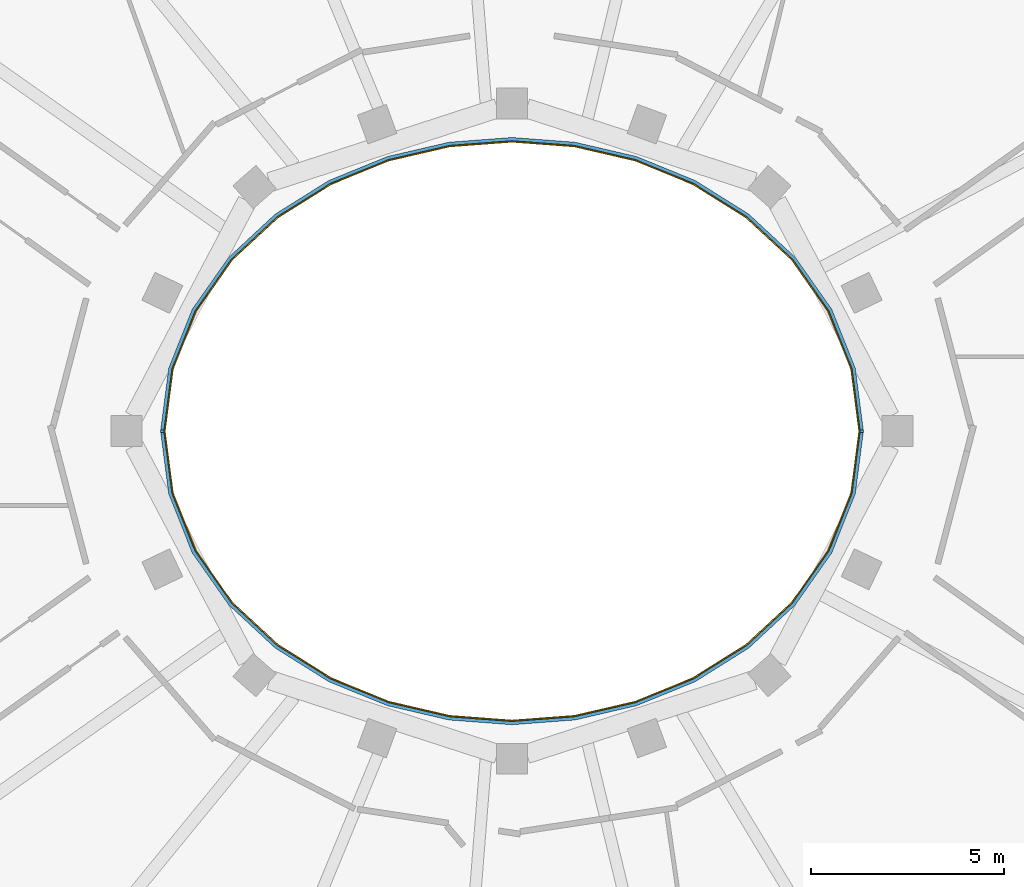
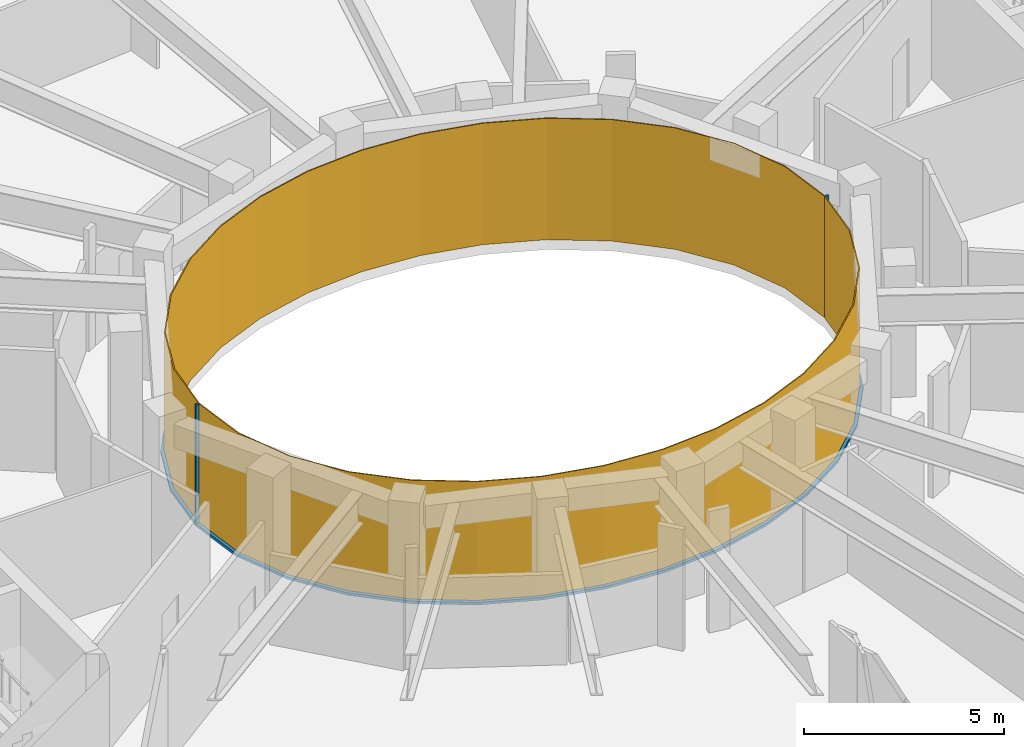
# One storey, part 13 of 18: 4 members, 2 curtain walls.
"""IFC4 building model written with IfcOpenShell, lengths in metres."""

from ifc_helpers import new_model, si_unit, direction, frame, origin, origin_2d, place, context, subcontext, project, spatial, polyline, rectangle, outline, extrude, material, layer, layer_set, material_profile, profile_set, type_object, element, aggregate, save


model = new_model("IFC4")

# Units and contexts
model_context = context("Model", 3, precision=1e-05, world=origin(), true_north=direction((0.0, 1.0)))
body_context = subcontext(model_context, "Body", "Model", "MODEL_VIEW")
ifc_project = project(units=[si_unit("LENGTHUNIT", "METRE"), si_unit("AREAUNIT", "SQUARE_METRE"), si_unit("VOLUMEUNIT", "CUBIC_METRE"), si_unit("PLANEANGLEUNIT", "RADIAN"), si_unit("MASSUNIT", "GRAM", prefix="KILO")], contexts=[model_context])

# Member
ifc_material_1 = material(Name="Steel S355 fire-resisting frame", Category="steel")
ifc_material_profile = material_profile(ifc_material_1, rectangle(XDim=0.090087890625, YDim=0.06005859375, at=origin_2d()), Name="90x60")
ifc_profile_set = profile_set([ifc_material_profile], Name="Steel S355 fire-resisting frame")
member_type_1 = type_object("IfcMemberType", Name="ENV-MULLION-W-90", PredefinedType="MULLION", material=ifc_profile_set)
site_placement = place(None, origin())
building_placement = place(site_placement, origin())
storey_placement = place(building_placement, frame((0.0, 0.0, 319.0)))
member_1_placement = place(storey_placement, frame((9.076904296875, 0.0, 0.0), z_axis=(0.0, 0.0, 1.0), x_axis=(1.0, 0.0, 0.0)))
member_1 = element("IfcMember", 1, at=member_1_placement, type_object=member_type_1, Name="Mullion W well vertex 01", PredefinedType="MULLION", context=body_context, shape_type="SweptSolid", body=[
    extrude(rectangle(XDim=0.090087890625, YDim=0.06005859375, at=origin_2d()), origin(), (0.0, 0.0, 1.0), 3.699951171875),
])

member_2_placement = place(storey_placement, frame((-9.076904296875, 0.0, 0.0), z_axis=(0.0, 0.0, 1.0), x_axis=(-1.0, 0.0, 0.0)))
member_2 = element("IfcMember", 2, at=member_2_placement, type_object=member_type_1, Name="Mullion W well vertex 17", PredefinedType="MULLION", context=body_context, shape_type="SweptSolid", body=[
    extrude(rectangle(XDim=0.090087890625, YDim=0.06005859375, at=origin_2d()), origin(), (0.0, 0.0, 1.0), 3.699951171875),
])

ifc_material_2 = material(Name="Steel S355 fire-resisting frame", Category="steel")
member_type_2 = type_object("IfcMemberType", Name="ENV-TRANSOM-W", PredefinedType="USERDEFINED", material=ifc_material_2)
member_3_placement = place(storey_placement, origin())
member_3 = element("IfcMember", 3, at=member_3_placement, type_object=member_type_2, Name="Transom W well 01-17", ObjectType="TRANSOM", PredefinedType="USERDEFINED", context=body_context, shape_type="SweptSolid", body=[
    extrude(outline(polyline([(9.119384765625, 0.02783203125), (8.910400390625, 1.63623046875), (8.29833984375, 3.167236328125), (7.35107421875, 4.5146484375), (6.1455078125, 5.6337890625), (4.75341796875, 6.50634765625), (3.233642578125, 7.127685546875), (1.635498046875, 7.498779296875), (0.0, 7.622314453125), (-1.635498046875, 7.498779296875), (-3.233642578125, 7.127685546875), (-4.75341796875, 6.50634765625), (-6.1455078125, 5.6337890625), (-7.35107421875, 4.5146484375), (-8.29833984375, 3.167236328125), (-8.910400390625, 1.63623046875), (-9.119384765625, 0.02783203125), (-9.02880859375, 0.02783203125), (-8.822509765625, 1.61328125), (-8.21875, 3.124267578125), (-7.282958984375, 4.455078125), (-6.090576171875, 5.56201171875), (-4.712158203125, 6.426025390625), (-3.206298828125, 7.04150390625), (-1.621826171875, 7.40966796875), (0.0, 7.531982421875), (1.621826171875, 7.40966796875), (3.206298828125, 7.04150390625), (4.712158203125, 6.426025390625), (6.090576171875, 5.56201171875), (7.282958984375, 4.455078125), (8.21875, 3.124267578125), (8.822509765625, 1.61328125), (9.02880859375, 0.02783203125), (9.119384765625, 0.02783203125)])), origin(), (0.0, 0.0, 1.0), 0.080078125),
])

member_4_placement = place(storey_placement, origin())
member_4 = element("IfcMember", 4, at=member_4_placement, type_object=member_type_2, Name="Transom W well 17-01", ObjectType="TRANSOM", PredefinedType="USERDEFINED", context=body_context, shape_type="SweptSolid", body=[
    extrude(outline(polyline([(-9.119384765625, -0.02783203125), (-8.910400390625, -1.63623046875), (-8.29833984375, -3.167236328125), (-7.35107421875, -4.5146484375), (-6.1455078125, -5.6337890625), (-4.75341796875, -6.50634765625), (-3.233642578125, -7.127685546875), (-1.635498046875, -7.498779296875), (0.0, -7.622314453125), (1.635498046875, -7.498779296875), (3.233642578125, -7.127685546875), (4.75341796875, -6.50634765625), (6.1455078125, -5.6337890625), (7.35107421875, -4.5146484375), (8.29833984375, -3.167236328125), (8.910400390625, -1.63623046875), (9.119384765625, -0.02783203125), (9.02880859375, -0.02783203125), (8.822509765625, -1.61328125), (8.21875, -3.124267578125), (7.282958984375, -4.455078125), (6.090576171875, -5.56201171875), (4.712158203125, -6.426025390625), (3.206298828125, -7.04150390625), (1.621826171875, -7.40966796875), (0.0, -7.531982421875), (-1.621826171875, -7.40966796875), (-3.206298828125, -7.04150390625), (-4.712158203125, -6.426025390625), (-6.090576171875, -5.56201171875), (-7.282958984375, -4.455078125), (-8.21875, -3.124267578125), (-8.822509765625, -1.61328125), (-9.02880859375, -0.02783203125), (-9.119384765625, -0.02783203125)])), origin(), (0.0, 0.0, 1.0), 0.080078125),
])

# Site, building, storey
site = spatial("IfcSite", under=ifc_project, at=site_placement, CompositionType="ELEMENT")
building = spatial("IfcBuilding", under=site, at=building_placement, Name="Noorbagh Ring Tower", CompositionType="ELEMENT")
storey = spatial("IfcBuildingStorey", under=building, at=storey_placement, Name="L69", CompositionType="ELEMENT", Elevation=319.0)

# Curtain wall
ifc_material_3 = material(Name="Glass fire-resisting E60 laminated", Category="glass")
ifc_layer = layer(ifc_material_3, 0.031982421875)
ifc_layer_set = layer_set([ifc_layer], Name="Glass fire-resisting E60 laminated")
curtain_wall_type = type_object("IfcCurtainWallType", Name="ENV-CW-W", PredefinedType="NOTDEFINED", material=ifc_layer_set)
curtain_wall_1_placement = place(storey_placement, origin())
curtain_wall_1 = element("IfcCurtainWall", 5, at=curtain_wall_1_placement, inside=storey, type_object=curtain_wall_type, Name="Curtain wall W W01", PredefinedType="NOTDEFINED", context=body_context, shape_type="SweptSolid", body=[
    extrude(outline(polyline([(9.0322265625, 0.0), (8.822509765625, 1.61328125), (8.21875, 3.124267578125), (7.282958984375, 4.455078125), (6.090576171875, 5.56201171875), (4.712158203125, 6.426025390625), (3.206298828125, 7.04150390625), (1.621826171875, 7.40966796875), (0.0, 7.531982421875), (-1.621826171875, 7.40966796875), (-3.206298828125, 7.04150390625), (-4.712158203125, 6.426025390625), (-6.090576171875, 5.56201171875), (-7.282958984375, 4.455078125), (-8.21875, 3.124267578125), (-8.822509765625, 1.61328125), (-9.0322265625, 0.0), (-9.0, 0.0), (-8.79150390625, 1.605224609375), (-8.1904296875, 3.10888671875), (-7.2587890625, 4.43408203125), (-6.071044921875, 5.53662109375), (-4.697509765625, 6.3974609375), (-3.196533203125, 7.010986328125), (-1.6171875, 7.3779296875), (0.0, 7.5), (1.6171875, 7.3779296875), (3.196533203125, 7.010986328125), (4.697509765625, 6.3974609375), (6.071044921875, 5.53662109375), (7.2587890625, 4.43408203125), (8.1904296875, 3.10888671875), (8.79150390625, 1.605224609375), (9.0, 0.0), (9.0322265625, 0.0)])), origin(), (0.0, 0.0, 1.0), 3.699951171875),
])

aggregate(curtain_wall_1, [member_1, member_2, member_3])

curtain_wall_2_placement = place(storey_placement, origin())
curtain_wall_2 = element("IfcCurtainWall", 6, at=curtain_wall_2_placement, inside=storey, type_object=curtain_wall_type, Name="Curtain wall W W17", PredefinedType="NOTDEFINED", context=body_context, shape_type="SweptSolid", body=[
    extrude(outline(polyline([(-9.0322265625, 0.0), (-8.822509765625, -1.61328125), (-8.21875, -3.124267578125), (-7.282958984375, -4.455078125), (-6.090576171875, -5.56201171875), (-4.712158203125, -6.426025390625), (-3.206298828125, -7.04150390625), (-1.621826171875, -7.40966796875), (0.0, -7.531982421875), (1.621826171875, -7.40966796875), (3.206298828125, -7.04150390625), (4.712158203125, -6.426025390625), (6.090576171875, -5.56201171875), (7.282958984375, -4.455078125), (8.21875, -3.124267578125), (8.822509765625, -1.61328125), (9.0322265625, 0.0), (9.0, 0.0), (8.79150390625, -1.605224609375), (8.1904296875, -3.10888671875), (7.2587890625, -4.43408203125), (6.071044921875, -5.53662109375), (4.697509765625, -6.3974609375), (3.196533203125, -7.010986328125), (1.6171875, -7.3779296875), (0.0, -7.5), (-1.6171875, -7.3779296875), (-3.196533203125, -7.010986328125), (-4.697509765625, -6.3974609375), (-6.071044921875, -5.53662109375), (-7.2587890625, -4.43408203125), (-8.1904296875, -3.10888671875), (-8.79150390625, -1.605224609375), (-9.0, 0.0), (-9.0322265625, 0.0)])), origin(), (0.0, 0.0, 1.0), 3.699951171875),
])

aggregate(curtain_wall_2, [member_4])

save(model, "model.ifc")
